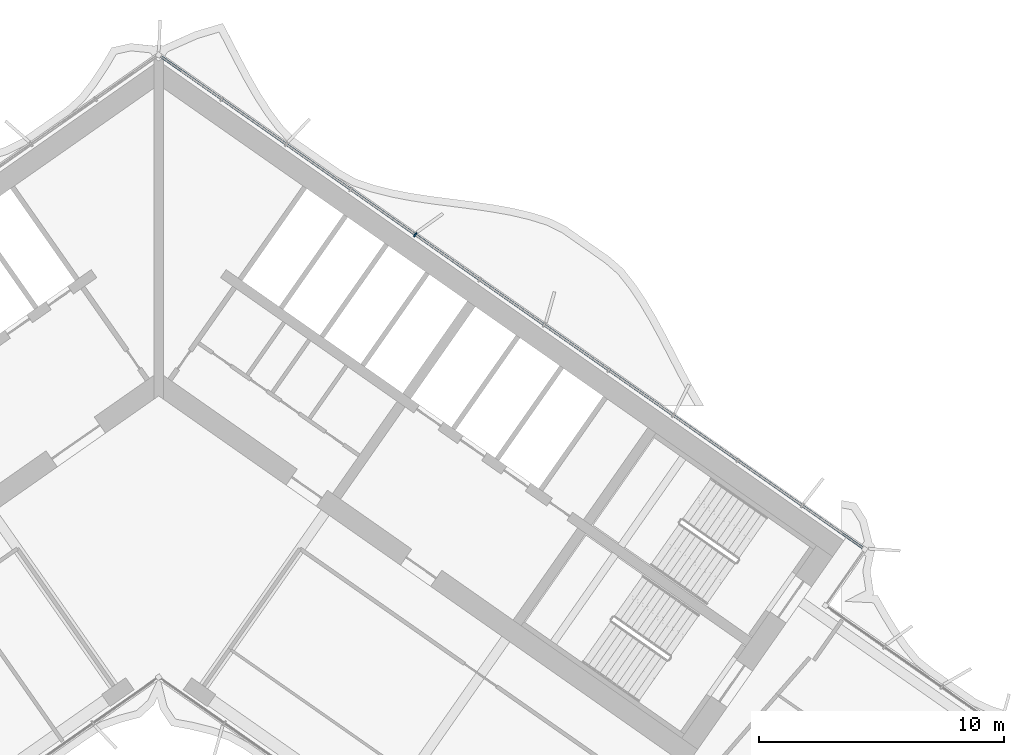
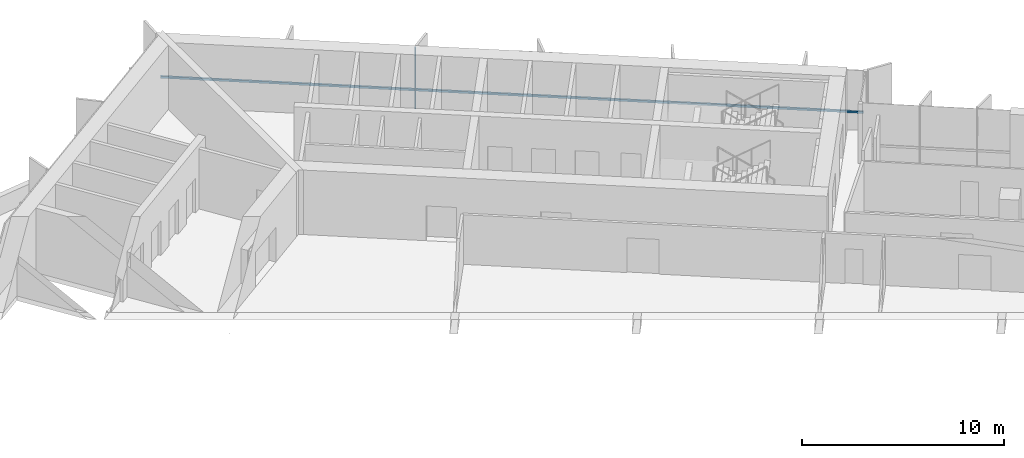
# One storey, part 10 of 23: 2 members, 1 element without a shape of its own.
"""IFC4 building model written with IfcOpenShell, lengths in metres."""

from ifc_helpers import new_model, si_unit, direction, frame, origin, origin_2d, place, context, subcontext, project, spatial, rectangle, extrude, material, material_profile, profile_set, type_object, element, aggregate, save


model = new_model("IFC4")

# Units and contexts
model_context = context("Model", 3, precision=1e-05, world=origin(), true_north=direction((0.0, 1.0)))
body_context = subcontext(model_context, "Body", "Model", "MODEL_VIEW")
ifc_project = project(units=[si_unit("LENGTHUNIT", "METRE"), si_unit("AREAUNIT", "SQUARE_METRE"), si_unit("VOLUMEUNIT", "CUBIC_METRE"), si_unit("PLANEANGLEUNIT", "RADIAN"), si_unit("MASSUNIT", "GRAM", prefix="KILO")], contexts=[model_context])

# Site, building, storey
site_placement = place(None, origin())
site = spatial("IfcSite", under=ifc_project, at=site_placement, CompositionType="ELEMENT")
building_placement = place(site_placement, origin())
building = spatial("IfcBuilding", under=site, at=building_placement, Name="Tel Ilan Convention Tower", CompositionType="ELEMENT")
storey_placement = place(building_placement, frame((0.0, 0.0, 182.699951171875)))
storey = spatial("IfcBuildingStorey", under=building, at=storey_placement, Name="L42", CompositionType="ELEMENT", Elevation=182.699951171875)

# Curtain wall, members
ifc_material_1 = material(Name="Aluminium, bronze anodised", Category="aluminium")
curtain_wall_type = type_object("IfcCurtainWallType", Name="CW2 STICK CURTAIN WALL, SPANDREL PANELS", PredefinedType="NOTDEFINED", material=ifc_material_1)
curtain_wall_placement = place(storey_placement, origin())
curtain_wall = element("IfcCurtainWall", 1, at=curtain_wall_placement, inside=storey, type_object=curtain_wall_type, Name="Curtain wall CW2-32.01", PredefinedType="NOTDEFINED")
ifc_material_2 = material(Name="Aluminium, bronze anodised", Category="aluminium")
ifc_material_profile_1 = material_profile(ifc_material_2, rectangle(XDim=0.06005859375, YDim=0.199951171875, at=origin_2d()), Name="CW MULLION 60x200")
ifc_profile_set_1 = profile_set([ifc_material_profile_1], Name="Aluminium, bronze anodised")
member_type_1 = type_object("IfcMemberType", Name="CW MULLION 60x200", PredefinedType="MULLION", material=ifc_profile_set_1)
member_1_placement = place(storey_placement, frame((10.47314453125, 5.36279296875, 0.0), z_axis=(0.0, 0.0, 1.0), x_axis=(-0.819152044289, 0.573576436351, 0.0)))
member_1 = element("IfcMember", 2, at=member_1_placement, type_object=member_type_1, Name="Mullion", PredefinedType="MULLION", context=body_context, shape_type="SweptSolid", body=[
    extrude(rectangle(XDim=0.06005859375, YDim=0.199951171875, at=origin_2d()), origin(), (0.0, 0.0, 1.0), 3.6201171875),
])
ifc_material_3 = material(Name="Aluminium, bronze anodised", Category="aluminium")
ifc_material_profile_2 = material_profile(ifc_material_3, rectangle(XDim=0.10009765625, YDim=0.1201171875, at=origin_2d()), Name="CW TRANSOM 100x120")
ifc_profile_set_2 = profile_set([ifc_material_profile_2], Name="Aluminium, bronze anodised")
member_type_2 = type_object("IfcMemberType", Name="CW TRANSOM 100x120", PredefinedType="USERDEFINED", material=ifc_profile_set_2)
member_2_placement = place(storey_placement, frame((28.737548828125, -7.42626953125, 1.10009765625), z_axis=(-0.819150201937, 0.573579067494, 0.0), x_axis=(-0.573579067494, -0.819150201937, 0.0)))
member_2 = element("IfcMember", 3, at=member_2_placement, type_object=member_type_2, Name="Transom", ObjectType="TRANSOM", PredefinedType="USERDEFINED", context=body_context, shape_type="SweptSolid", body=[
    extrude(rectangle(XDim=0.10009765625, YDim=0.1201171875, at=origin_2d()), origin(), (0.0, 0.0, 1.0), 34.9521484375),
])
aggregate(curtain_wall, [member_1, member_2])

save(model, "model.ifc")
